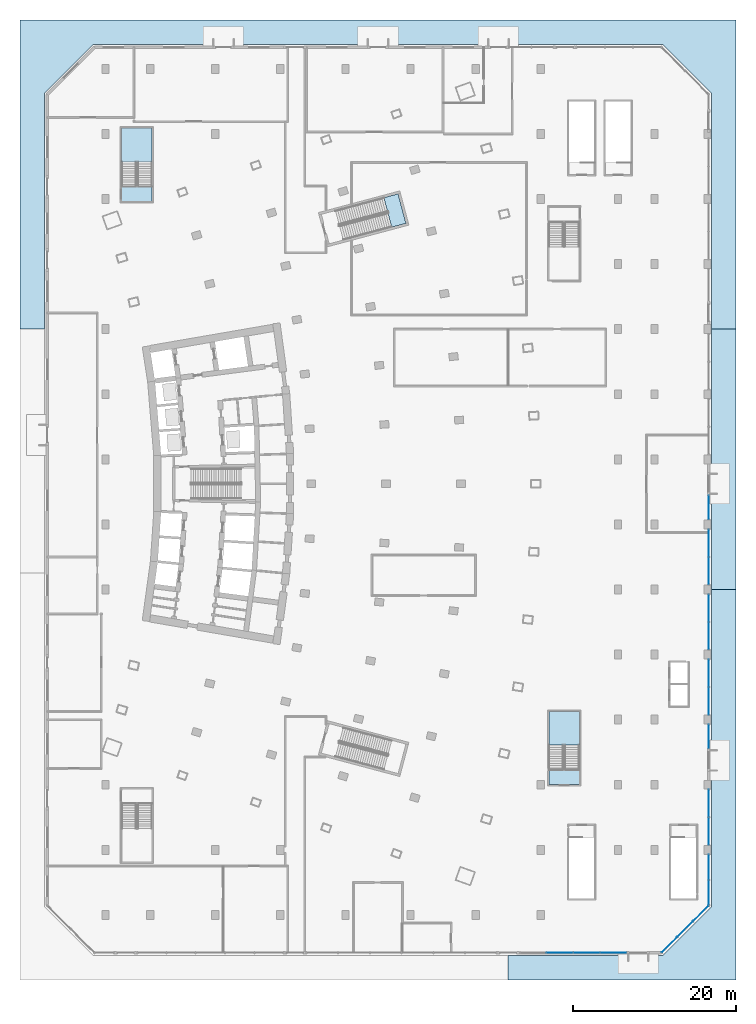
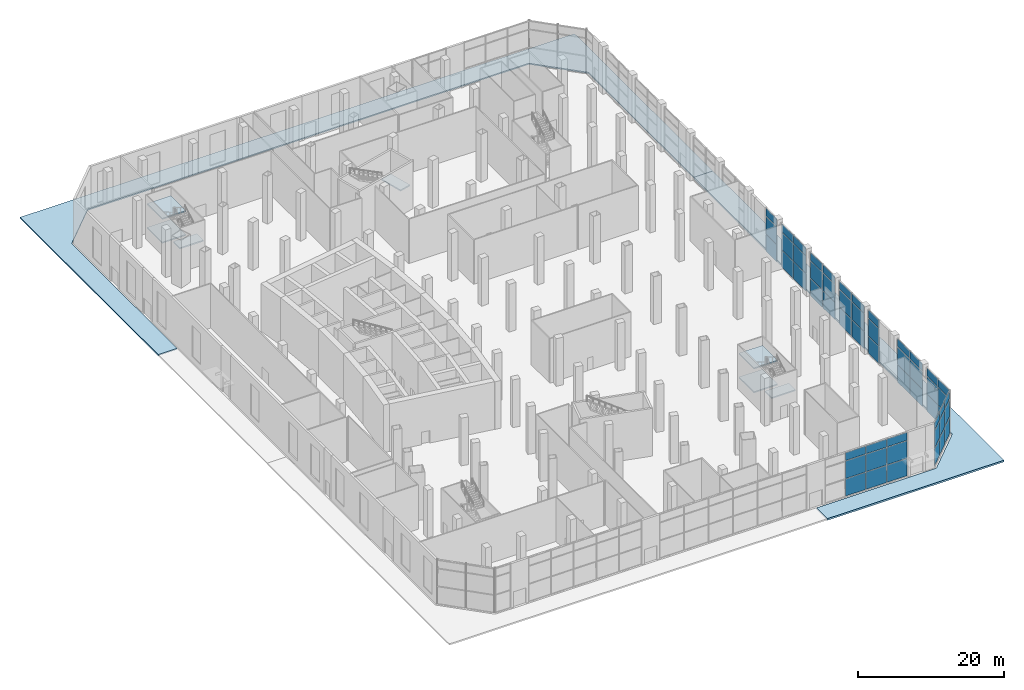
# One storey, part 10 of 33: 54 plates, 10 slabs, 12 elements without a shape of their own.
"""IFC4 building model written with IfcOpenShell, lengths in metres."""

from ifc_helpers import new_model, si_unit, direction, frame, origin, origin_2d, place, context, subcontext, project, spatial, polyline, rectangle, outline, extrude, material, layer, layer_set, type_object, element, aggregate, save


model = new_model("IFC4")

# Units and contexts
model_context = context("Model", 3, precision=1e-05, world=origin(), true_north=direction((0.0, 1.0)))
body_context = subcontext(model_context, "Body", "Model", "MODEL_VIEW")
ifc_project = project(units=[si_unit("LENGTHUNIT", "METRE"), si_unit("AREAUNIT", "SQUARE_METRE"), si_unit("VOLUMEUNIT", "CUBIC_METRE"), si_unit("PLANEANGLEUNIT", "RADIAN"), si_unit("MASSUNIT", "GRAM", prefix="KILO")], contexts=[model_context])

# Site, building, storey
site_placement = place(None, origin())
site = spatial("IfcSite", under=ifc_project, at=site_placement, CompositionType="ELEMENT")
building_placement = place(site_placement, origin())
building = spatial("IfcBuilding", under=site, at=building_placement, Name="Alderwake Tower", CompositionType="ELEMENT")
storey_placement = place(building_placement, origin())
storey = spatial("IfcBuildingStorey", under=building, at=storey_placement, Name="L00", CompositionType="ELEMENT", Elevation=0.0)

# Stair, slab
ifc_material_1 = material(Name="Concrete C40/50", Category="concrete")
stair_type_1 = type_object("IfcStairType", Name="Core exit stair", PredefinedType="HALF_TURN_STAIR", material=ifc_material_1)
stair_1_placement = place(storey_placement, origin())
stair_1 = element("IfcStair", 1, at=stair_1_placement, inside=storey, type_object=stair_type_1, Name="L00 Exit Stair A", PredefinedType="HALF_TURN_STAIR")
ifc_material_2 = material(Name="Concrete C40/50", Category="concrete")
ifc_layer_1 = layer(ifc_material_2, 0.199951171875)
ifc_layer_set_1 = layer_set([ifc_layer_1], Name="Core stair landing 200")
slab_type_1 = type_object("IfcSlabType", Name="Core stair landing 200", PredefinedType="LANDING", material=ifc_layer_set_1)
slab_1_placement = place(storey_placement, frame((0.0, 0.0, 3.800048828125)))
slab_1 = element("IfcSlab", 2, at=slab_1_placement, type_object=slab_type_1, Name="ST-A landing 1", PredefinedType="LANDING", context=body_context, shape_type="SweptSolid", body=[
    extrude(outline(polyline([(45.687255859375, 92.537109375), (47.436279296875, 93.003173828125), (46.47119140625, 96.626708984375), (44.72216796875, 96.160888671875), (45.687255859375, 92.537109375)])), origin(), (0.0, 0.0, 1.0), 0.199951171875),
])
aggregate(stair_1, [slab_1])

# Stair, slabs
ifc_material_3 = material(Name="Concrete C40/50", Category="concrete")
stair_type_2 = type_object("IfcStairType", Name="Exit stair 1800 half-turn", PredefinedType="HALF_TURN_STAIR", material=ifc_material_3)
stair_2_placement = place(storey_placement, origin())
stair_2 = element("IfcStair", 3, at=stair_2_placement, inside=storey, type_object=stair_type_2, Name="L00 Podium stair P2", PredefinedType="HALF_TURN_STAIR")
slab_2_placement = place(storey_placement, frame((0.0, 0.0, 1.800048828125)))
slab_2 = element("IfcSlab", 4, at=slab_2_placement, type_object=slab_type_1, Name="ST-P2 landing 1", PredefinedType="LANDING", context=body_context, shape_type="SweptSolid", body=[
    extrude(outline(polyline([(16.25, 100.570068359375), (16.25, 104.699951171875), (12.5, 104.699951171875), (12.5, 100.570068359375), (16.25, 100.570068359375)])), origin(), (0.0, 0.0, 1.0), 0.199951171875),
])
slab_3_placement = place(storey_placement, frame((0.0, 0.0, 3.800048828125)))
slab_3 = element("IfcSlab", 5, at=slab_3_placement, type_object=slab_type_1, Name="ST-P2 landing 2", PredefinedType="LANDING", context=body_context, shape_type="SweptSolid", body=[
    extrude(outline(polyline([(16.25, 95.699951171875), (16.25, 97.510009765625), (12.5, 97.510009765625), (12.5, 95.699951171875), (16.25, 95.699951171875)])), origin(), (0.0, 0.0, 1.0), 0.199951171875),
])
slab_4_placement = place(storey_placement, frame((0.0, 0.0, 5.800048828125)))
slab_4 = element("IfcSlab", 6, at=slab_4_placement, type_object=slab_type_1, Name="ST-P2 landing 3", PredefinedType="LANDING", context=body_context, shape_type="SweptSolid", body=[
    extrude(outline(polyline([(16.25, 100.570068359375), (16.25, 104.699951171875), (12.5, 104.699951171875), (12.5, 100.570068359375), (16.25, 100.570068359375)])), origin(), (0.0, 0.0, 1.0), 0.199951171875),
])
aggregate(stair_2, [slab_2, slab_3, slab_4])

stair_3_placement = place(storey_placement, origin())
stair_3 = element("IfcStair", 7, at=stair_3_placement, inside=storey, type_object=stair_type_2, Name="L00 Podium stair P4", PredefinedType="HALF_TURN_STAIR")
slab_5_placement = place(storey_placement, frame((0.0, 0.0, 1.800048828125)))
slab_5 = element("IfcSlab", 8, at=slab_5_placement, type_object=slab_type_1, Name="ST-P4 landing 1", PredefinedType="LANDING", context=body_context, shape_type="SweptSolid", body=[
    extrude(outline(polyline([(68.75, 28.8701171875), (68.75, 33.0), (65.0, 33.0), (65.0, 28.8701171875), (68.75, 28.8701171875)])), origin(), (0.0, 0.0, 1.0), 0.199951171875),
])
slab_6_placement = place(storey_placement, frame((0.0, 0.0, 3.800048828125)))
slab_6 = element("IfcSlab", 9, at=slab_6_placement, type_object=slab_type_1, Name="ST-P4 landing 2", PredefinedType="LANDING", context=body_context, shape_type="SweptSolid", body=[
    extrude(outline(polyline([(68.75, 24.0), (68.75, 25.81005859375), (65.0, 25.81005859375), (65.0, 24.0), (68.75, 24.0)])), origin(), (0.0, 0.0, 1.0), 0.199951171875),
])
slab_7_placement = place(storey_placement, frame((0.0, 0.0, 5.800048828125)))
slab_7 = element("IfcSlab", 10, at=slab_7_placement, type_object=slab_type_1, Name="ST-P4 landing 3", PredefinedType="LANDING", context=body_context, shape_type="SweptSolid", body=[
    extrude(outline(polyline([(68.75, 28.8701171875), (68.75, 33.0), (65.0, 33.0), (65.0, 28.8701171875), (68.75, 28.8701171875)])), origin(), (0.0, 0.0, 1.0), 0.199951171875),
])
aggregate(stair_3, [slab_5, slab_6, slab_7])

# Slab
ifc_material_4 = material(Name="Concrete C50/60", Category="concrete")
ifc_layer_2 = layer(ifc_material_4, 0.199951171875)
ifc_layer_set_2 = layer_set([ifc_layer_2], Name="Footway paving slab 200")
slab_type_2 = type_object("IfcSlabType", Name="Footway paving slab 200", PredefinedType="USERDEFINED", material=ifc_layer_set_2)
slab_8_placement = place(storey_placement, frame((0.0, 0.0, -0.199951171875)))
element("IfcSlab", 11, at=slab_8_placement, inside=storey, type_object=slab_type_2, Name="North street footway paving", ObjectType="PAVING", PredefinedType="USERDEFINED", context=body_context, shape_type="SweptSolid", body=[
    extrude(outline(polyline([(88.0, 118.0), (0.0, 118.0), (0.0, 80.0), (3.0, 80.0), (3.0, 109.0), (9.0, 115.0), (79.0, 115.0), (85.0, 109.0), (85.0, 80.0), (88.0, 80.0), (88.0, 118.0)])), origin(), (0.0, 0.0, 1.0), 0.199951171875),
])

# Curtain wall, plates
ifc_material_5 = material(Name="Bronze tinted glass in aluminium frame", Category="aluminium")
ifc_layer_3 = layer(ifc_material_5, 0.300048828125)
ifc_layer_set_3 = layer_set([ifc_layer_3], Name="Curtain wall CW2 station concourse wall")
curtain_wall_type = type_object("IfcCurtainWallType", Name="Curtain wall CW2 station concourse wall", PredefinedType="NOTDEFINED", material=ifc_layer_set_3)
curtain_wall_1_placement = place(storey_placement, origin())
curtain_wall_1 = element("IfcCurtainWall", 12, at=curtain_wall_1_placement, inside=storey, type_object=curtain_wall_type, Name="Curtain wall 4", PredefinedType="NOTDEFINED")
ifc_material_6 = material(Name="Bronze tinted glass in aluminium frame", Category="aluminium")
ifc_layer_4 = layer(ifc_material_6, 0.031982421875)
ifc_layer_set_4 = layer_set([ifc_layer_4], Name="Glass panel GPB 32")
plate_type = type_object("IfcPlateType", Name="Glass panel GPB 32", PredefinedType="CURTAIN_PANEL", material=ifc_layer_set_4)
plate_1_placement = place(storey_placement, frame((66.35009765625, 3.35009765625, 0.080078125), z_axis=(0.0, 0.0, 1.0), x_axis=(1.0, 0.0, 0.0)))
plate_1 = element("IfcPlate", 13, at=plate_1_placement, type_object=plate_type, Name="CW.04 panel 2.1", PredefinedType="CURTAIN_PANEL", context=body_context, shape_type="SweptSolid", body=[
    extrude(rectangle(XDim=3.219970703125, YDim=0.031982421875, at=origin_2d()), origin(), (0.0, 0.0, 1.0), 2.8798828125),
])
plate_2_placement = place(storey_placement, frame((66.35009765625, 3.35009765625, 3.0400390625), z_axis=(0.0, 0.0, 1.0), x_axis=(1.0, 0.0, 0.0)))
plate_2 = element("IfcPlate", 14, at=plate_2_placement, type_object=plate_type, Name="CW.04 panel 2.2", PredefinedType="CURTAIN_PANEL", context=body_context, shape_type="SweptSolid", body=[
    extrude(rectangle(XDim=3.219970703125, YDim=0.031982421875, at=origin_2d()), origin(), (0.0, 0.0, 1.0), 2.919921875),
])
plate_3_placement = place(storey_placement, frame((66.35009765625, 3.35009765625, 6.0400390625), z_axis=(0.0, 0.0, 1.0), x_axis=(1.0, 0.0, 0.0)))
plate_3 = element("IfcPlate", 15, at=plate_3_placement, type_object=plate_type, Name="CW.04 panel 2.3", PredefinedType="CURTAIN_PANEL", context=body_context, shape_type="SweptSolid", body=[
    extrude(rectangle(XDim=3.219970703125, YDim=0.031982421875, at=origin_2d()), origin(), (0.0, 0.0, 1.0), 1.330078125),
])
plate_4_placement = place(storey_placement, frame((69.64990234375, 3.35009765625, 0.080078125), z_axis=(0.0, 0.0, 1.0), x_axis=(1.0, 0.0, 0.0)))
plate_4 = element("IfcPlate", 16, at=plate_4_placement, type_object=plate_type, Name="CW.04 panel 3.1", PredefinedType="CURTAIN_PANEL", context=body_context, shape_type="SweptSolid", body=[
    extrude(rectangle(XDim=3.219970703125, YDim=0.031982421875, at=origin_2d()), origin(), (0.0, 0.0, 1.0), 2.8798828125),
])
plate_5_placement = place(storey_placement, frame((69.64990234375, 3.35009765625, 3.0400390625), z_axis=(0.0, 0.0, 1.0), x_axis=(1.0, 0.0, 0.0)))
plate_5 = element("IfcPlate", 17, at=plate_5_placement, type_object=plate_type, Name="CW.04 panel 3.2", PredefinedType="CURTAIN_PANEL", context=body_context, shape_type="SweptSolid", body=[
    extrude(rectangle(XDim=3.219970703125, YDim=0.031982421875, at=origin_2d()), origin(), (0.0, 0.0, 1.0), 2.919921875),
])
plate_6_placement = place(storey_placement, frame((69.64990234375, 3.35009765625, 6.0400390625), z_axis=(0.0, 0.0, 1.0), x_axis=(1.0, 0.0, 0.0)))
plate_6 = element("IfcPlate", 18, at=plate_6_placement, type_object=plate_type, Name="CW.04 panel 3.3", PredefinedType="CURTAIN_PANEL", context=body_context, shape_type="SweptSolid", body=[
    extrude(rectangle(XDim=3.219970703125, YDim=0.031982421875, at=origin_2d()), origin(), (0.0, 0.0, 1.0), 1.330078125),
])
plate_7_placement = place(storey_placement, frame((72.929931640625, 3.35009765625, 0.080078125), z_axis=(0.0, 0.0, 1.0), x_axis=(1.0, 0.0, 0.0)))
plate_7 = element("IfcPlate", 19, at=plate_7_placement, type_object=plate_type, Name="CW.04 panel 4.1", PredefinedType="CURTAIN_PANEL", context=body_context, shape_type="SweptSolid", body=[
    extrude(rectangle(XDim=3.179931640625, YDim=0.031982421875, at=origin_2d()), origin(), (0.0, 0.0, 1.0), 2.8798828125),
])
plate_8_placement = place(storey_placement, frame((72.929931640625, 3.35009765625, 3.0400390625), z_axis=(0.0, 0.0, 1.0), x_axis=(1.0, 0.0, 0.0)))
plate_8 = element("IfcPlate", 20, at=plate_8_placement, type_object=plate_type, Name="CW.04 panel 4.2", PredefinedType="CURTAIN_PANEL", context=body_context, shape_type="SweptSolid", body=[
    extrude(rectangle(XDim=3.179931640625, YDim=0.031982421875, at=origin_2d()), origin(), (0.0, 0.0, 1.0), 2.919921875),
])
plate_9_placement = place(storey_placement, frame((72.929931640625, 3.35009765625, 6.0400390625), z_axis=(0.0, 0.0, 1.0), x_axis=(1.0, 0.0, 0.0)))
plate_9 = element("IfcPlate", 21, at=plate_9_placement, type_object=plate_type, Name="CW.04 panel 4.3", PredefinedType="CURTAIN_PANEL", context=body_context, shape_type="SweptSolid", body=[
    extrude(rectangle(XDim=3.179931640625, YDim=0.031982421875, at=origin_2d()), origin(), (0.0, 0.0, 1.0), 1.330078125),
])
aggregate(curtain_wall_1, [plate_1, plate_2, plate_3, plate_4, plate_5, plate_6, plate_7, plate_8, plate_9])

curtain_wall_2_placement = place(storey_placement, origin())
curtain_wall_2 = element("IfcCurtainWall", 22, at=curtain_wall_2_placement, inside=storey, type_object=curtain_wall_type, Name="Curtain wall 5", PredefinedType="NOTDEFINED")
plate_10_placement = place(storey_placement, frame((79.836669921875, 4.331787109375, 0.080078125), z_axis=(0.0, 0.0, 1.0), x_axis=(0.707106781187, 0.707106781187, 0.0)))
plate_10 = element("IfcPlate", 23, at=plate_10_placement, type_object=plate_type, Name="CW.05 panel 1.1", PredefinedType="CURTAIN_PANEL", context=body_context, shape_type="SweptSolid", body=[
    extrude(rectangle(XDim=2.61669921875, YDim=0.031982421875, at=origin_2d()), origin(), (0.0, 0.0, 1.0), 2.8798828125),
])
plate_11_placement = place(storey_placement, frame((79.836669921875, 4.331787109375, 3.0400390625), z_axis=(0.0, 0.0, 1.0), x_axis=(0.707106781187, 0.707106781187, 0.0)))
plate_11 = element("IfcPlate", 24, at=plate_11_placement, type_object=plate_type, Name="CW.05 panel 1.2", PredefinedType="CURTAIN_PANEL", context=body_context, shape_type="SweptSolid", body=[
    extrude(rectangle(XDim=2.61669921875, YDim=0.031982421875, at=origin_2d()), origin(), (0.0, 0.0, 1.0), 2.919921875),
])
plate_12_placement = place(storey_placement, frame((79.836669921875, 4.331787109375, 6.0400390625), z_axis=(0.0, 0.0, 1.0), x_axis=(0.707106781187, 0.707106781187, 0.0)))
plate_12 = element("IfcPlate", 25, at=plate_12_placement, type_object=plate_type, Name="CW.05 panel 1.3", PredefinedType="CURTAIN_PANEL", context=body_context, shape_type="SweptSolid", body=[
    extrude(rectangle(XDim=2.61669921875, YDim=0.031982421875, at=origin_2d()), origin(), (0.0, 0.0, 1.0), 1.330078125),
])
plate_13_placement = place(storey_placement, frame((81.7578125, 6.252685546875, 0.080078125), z_axis=(0.0, 0.0, 1.0), x_axis=(0.707106781187, 0.707106781187, 0.0)))
plate_13 = element("IfcPlate", 26, at=plate_13_placement, type_object=plate_type, Name="CW.05 panel 2.1", PredefinedType="CURTAIN_PANEL", context=body_context, shape_type="SweptSolid", body=[
    extrude(rectangle(XDim=2.65673828125, YDim=0.031982421875, at=origin_2d()), origin(), (0.0, 0.0, 1.0), 2.8798828125),
])
plate_14_placement = place(storey_placement, frame((81.7578125, 6.252685546875, 3.0400390625), z_axis=(0.0, 0.0, 1.0), x_axis=(0.707106781187, 0.707106781187, 0.0)))
plate_14 = element("IfcPlate", 27, at=plate_14_placement, type_object=plate_type, Name="CW.05 panel 2.2", PredefinedType="CURTAIN_PANEL", context=body_context, shape_type="SweptSolid", body=[
    extrude(rectangle(XDim=2.65673828125, YDim=0.031982421875, at=origin_2d()), origin(), (0.0, 0.0, 1.0), 2.919921875),
])
plate_15_placement = place(storey_placement, frame((81.7578125, 6.252685546875, 6.0400390625), z_axis=(0.0, 0.0, 1.0), x_axis=(0.707106781187, 0.707106781187, 0.0)))
plate_15 = element("IfcPlate", 28, at=plate_15_placement, type_object=plate_type, Name="CW.05 panel 2.3", PredefinedType="CURTAIN_PANEL", context=body_context, shape_type="SweptSolid", body=[
    extrude(rectangle(XDim=2.65673828125, YDim=0.031982421875, at=origin_2d()), origin(), (0.0, 0.0, 1.0), 1.330078125),
])
plate_16_placement = place(storey_placement, frame((83.678955078125, 8.173828125, 0.080078125), z_axis=(0.0, 0.0, 1.0), x_axis=(0.707106781187, 0.707106781187, 0.0)))
plate_16 = element("IfcPlate", 29, at=plate_16_placement, type_object=plate_type, Name="CW.05 panel 3.1", PredefinedType="CURTAIN_PANEL", context=body_context, shape_type="SweptSolid", body=[
    extrude(rectangle(XDim=2.61669921875, YDim=0.031982421875, at=origin_2d()), origin(), (0.0, 0.0, 1.0), 2.8798828125),
])
plate_17_placement = place(storey_placement, frame((83.678955078125, 8.173828125, 3.0400390625), z_axis=(0.0, 0.0, 1.0), x_axis=(0.707106781187, 0.707106781187, 0.0)))
plate_17 = element("IfcPlate", 30, at=plate_17_placement, type_object=plate_type, Name="CW.05 panel 3.2", PredefinedType="CURTAIN_PANEL", context=body_context, shape_type="SweptSolid", body=[
    extrude(rectangle(XDim=2.61669921875, YDim=0.031982421875, at=origin_2d()), origin(), (0.0, 0.0, 1.0), 2.919921875),
])
plate_18_placement = place(storey_placement, frame((83.678955078125, 8.173828125, 6.0400390625), z_axis=(0.0, 0.0, 1.0), x_axis=(0.707106781187, 0.707106781187, 0.0)))
plate_18 = element("IfcPlate", 31, at=plate_18_placement, type_object=plate_type, Name="CW.05 panel 3.3", PredefinedType="CURTAIN_PANEL", context=body_context, shape_type="SweptSolid", body=[
    extrude(rectangle(XDim=2.61669921875, YDim=0.031982421875, at=origin_2d()), origin(), (0.0, 0.0, 1.0), 1.330078125),
])
aggregate(curtain_wall_2, [plate_10, plate_11, plate_12, plate_13, plate_14, plate_15, plate_16, plate_17, plate_18])

curtain_wall_3_placement = place(storey_placement, origin())
curtain_wall_3 = element("IfcCurtainWall", 32, at=curtain_wall_3_placement, inside=storey, type_object=curtain_wall_type, Name="Curtain wall 6", PredefinedType="NOTDEFINED")
plate_19_placement = place(storey_placement, frame((84.64990234375, 10.7412109375, 0.080078125), z_axis=(0.0, 0.0, 1.0), x_axis=(0.0, 1.0, 0.0)))
plate_19 = element("IfcPlate", 33, at=plate_19_placement, type_object=plate_type, Name="CW.06 panel 1.1", PredefinedType="CURTAIN_PANEL", context=body_context, shape_type="SweptSolid", body=[
    extrude(rectangle(XDim=3.032470703125, YDim=0.031982421875, at=origin_2d()), origin(), (0.0, 0.0, 1.0), 2.8798828125),
])
plate_20_placement = place(storey_placement, frame((84.64990234375, 10.7412109375, 3.0400390625), z_axis=(0.0, 0.0, 1.0), x_axis=(0.0, 1.0, 0.0)))
plate_20 = element("IfcPlate", 34, at=plate_20_placement, type_object=plate_type, Name="CW.06 panel 1.2", PredefinedType="CURTAIN_PANEL", context=body_context, shape_type="SweptSolid", body=[
    extrude(rectangle(XDim=3.032470703125, YDim=0.031982421875, at=origin_2d()), origin(), (0.0, 0.0, 1.0), 2.919921875),
])
plate_21_placement = place(storey_placement, frame((84.64990234375, 10.7412109375, 6.0400390625), z_axis=(0.0, 0.0, 1.0), x_axis=(0.0, 1.0, 0.0)))
plate_21 = element("IfcPlate", 35, at=plate_21_placement, type_object=plate_type, Name="CW.06 panel 1.3", PredefinedType="CURTAIN_PANEL", context=body_context, shape_type="SweptSolid", body=[
    extrude(rectangle(XDim=3.032470703125, YDim=0.031982421875, at=origin_2d()), origin(), (0.0, 0.0, 1.0), 1.330078125),
])
plate_22_placement = place(storey_placement, frame((84.64990234375, 13.853759765625, 0.080078125), z_axis=(0.0, 0.0, 1.0), x_axis=(0.0, 1.0, 0.0)))
plate_22 = element("IfcPlate", 36, at=plate_22_placement, type_object=plate_type, Name="CW.06 panel 2.1", PredefinedType="CURTAIN_PANEL", context=body_context, shape_type="SweptSolid", body=[
    extrude(rectangle(XDim=3.032470703125, YDim=0.031982421875, at=origin_2d()), origin(), (0.0, 0.0, 1.0), 2.8798828125),
])
plate_23_placement = place(storey_placement, frame((84.64990234375, 13.853759765625, 3.0400390625), z_axis=(0.0, 0.0, 1.0), x_axis=(0.0, 1.0, 0.0)))
plate_23 = element("IfcPlate", 37, at=plate_23_placement, type_object=plate_type, Name="CW.06 panel 2.2", PredefinedType="CURTAIN_PANEL", context=body_context, shape_type="SweptSolid", body=[
    extrude(rectangle(XDim=3.032470703125, YDim=0.031982421875, at=origin_2d()), origin(), (0.0, 0.0, 1.0), 2.919921875),
])
plate_24_placement = place(storey_placement, frame((84.64990234375, 13.853759765625, 6.0400390625), z_axis=(0.0, 0.0, 1.0), x_axis=(0.0, 1.0, 0.0)))
plate_24 = element("IfcPlate", 38, at=plate_24_placement, type_object=plate_type, Name="CW.06 panel 2.3", PredefinedType="CURTAIN_PANEL", context=body_context, shape_type="SweptSolid", body=[
    extrude(rectangle(XDim=3.032470703125, YDim=0.031982421875, at=origin_2d()), origin(), (0.0, 0.0, 1.0), 1.330078125),
])
aggregate(curtain_wall_3, [plate_19, plate_20, plate_21, plate_22, plate_23, plate_24])

curtain_wall_4_placement = place(storey_placement, origin())
curtain_wall_4 = element("IfcCurtainWall", 39, at=curtain_wall_4_placement, inside=storey, type_object=curtain_wall_type, Name="Curtain wall 7", PredefinedType="NOTDEFINED")
plate_25_placement = place(storey_placement, frame((84.64990234375, 18.294921875, 0.080078125), z_axis=(0.0, 0.0, 1.0), x_axis=(0.0, 1.0, 0.0)))
plate_25 = element("IfcPlate", 40, at=plate_25_placement, type_object=plate_type, Name="CW.07 panel 1.1", PredefinedType="CURTAIN_PANEL", context=body_context, shape_type="SweptSolid", body=[
    extrude(rectangle(XDim=3.330078125, YDim=0.031982421875, at=origin_2d()), origin(), (0.0, 0.0, 1.0), 2.8798828125),
])
plate_26_placement = place(storey_placement, frame((84.64990234375, 18.294921875, 3.0400390625), z_axis=(0.0, 0.0, 1.0), x_axis=(0.0, 1.0, 0.0)))
plate_26 = element("IfcPlate", 41, at=plate_26_placement, type_object=plate_type, Name="CW.07 panel 1.2", PredefinedType="CURTAIN_PANEL", context=body_context, shape_type="SweptSolid", body=[
    extrude(rectangle(XDim=3.330078125, YDim=0.031982421875, at=origin_2d()), origin(), (0.0, 0.0, 1.0), 2.919921875),
])
plate_27_placement = place(storey_placement, frame((84.64990234375, 18.294921875, 6.0400390625), z_axis=(0.0, 0.0, 1.0), x_axis=(0.0, 1.0, 0.0)))
plate_27 = element("IfcPlate", 42, at=plate_27_placement, type_object=plate_type, Name="CW.07 panel 1.3", PredefinedType="CURTAIN_PANEL", context=body_context, shape_type="SweptSolid", body=[
    extrude(rectangle(XDim=3.330078125, YDim=0.031982421875, at=origin_2d()), origin(), (0.0, 0.0, 1.0), 1.330078125),
])
plate_28_placement = place(storey_placement, frame((84.64990234375, 21.705078125, 0.080078125), z_axis=(0.0, 0.0, 1.0), x_axis=(0.0, 1.0, 0.0)))
plate_28 = element("IfcPlate", 43, at=plate_28_placement, type_object=plate_type, Name="CW.07 panel 2.1", PredefinedType="CURTAIN_PANEL", context=body_context, shape_type="SweptSolid", body=[
    extrude(rectangle(XDim=3.330078125, YDim=0.031982421875, at=origin_2d()), origin(), (0.0, 0.0, 1.0), 2.8798828125),
])
plate_29_placement = place(storey_placement, frame((84.64990234375, 21.705078125, 3.0400390625), z_axis=(0.0, 0.0, 1.0), x_axis=(0.0, 1.0, 0.0)))
plate_29 = element("IfcPlate", 44, at=plate_29_placement, type_object=plate_type, Name="CW.07 panel 2.2", PredefinedType="CURTAIN_PANEL", context=body_context, shape_type="SweptSolid", body=[
    extrude(rectangle(XDim=3.330078125, YDim=0.031982421875, at=origin_2d()), origin(), (0.0, 0.0, 1.0), 2.919921875),
])
plate_30_placement = place(storey_placement, frame((84.64990234375, 21.705078125, 6.0400390625), z_axis=(0.0, 0.0, 1.0), x_axis=(0.0, 1.0, 0.0)))
plate_30 = element("IfcPlate", 45, at=plate_30_placement, type_object=plate_type, Name="CW.07 panel 2.3", PredefinedType="CURTAIN_PANEL", context=body_context, shape_type="SweptSolid", body=[
    extrude(rectangle(XDim=3.330078125, YDim=0.031982421875, at=origin_2d()), origin(), (0.0, 0.0, 1.0), 1.330078125),
])
aggregate(curtain_wall_4, [plate_25, plate_26, plate_27, plate_28, plate_29, plate_30])

curtain_wall_5_placement = place(storey_placement, origin())
curtain_wall_5 = element("IfcCurtainWall", 46, at=curtain_wall_5_placement, inside=storey, type_object=curtain_wall_type, Name="Curtain wall 8", PredefinedType="NOTDEFINED")
plate_31_placement = place(storey_placement, frame((84.64990234375, 29.925048828125, 0.080078125), z_axis=(0.0, 0.0, 1.0), x_axis=(0.0, 1.0, 0.0)))
plate_31 = element("IfcPlate", 47, at=plate_31_placement, type_object=plate_type, Name="CW.08 panel 1.1", PredefinedType="CURTAIN_PANEL", context=body_context, shape_type="SweptSolid", body=[
    extrude(rectangle(XDim=2.889892578125, YDim=0.031982421875, at=origin_2d()), origin(), (0.0, 0.0, 1.0), 2.8798828125),
])
plate_32_placement = place(storey_placement, frame((84.64990234375, 29.925048828125, 3.0400390625), z_axis=(0.0, 0.0, 1.0), x_axis=(0.0, 1.0, 0.0)))
plate_32 = element("IfcPlate", 48, at=plate_32_placement, type_object=plate_type, Name="CW.08 panel 1.2", PredefinedType="CURTAIN_PANEL", context=body_context, shape_type="SweptSolid", body=[
    extrude(rectangle(XDim=2.889892578125, YDim=0.031982421875, at=origin_2d()), origin(), (0.0, 0.0, 1.0), 2.919921875),
])
plate_33_placement = place(storey_placement, frame((84.64990234375, 29.925048828125, 6.0400390625), z_axis=(0.0, 0.0, 1.0), x_axis=(0.0, 1.0, 0.0)))
plate_33 = element("IfcPlate", 49, at=plate_33_placement, type_object=plate_type, Name="CW.08 panel 1.3", PredefinedType="CURTAIN_PANEL", context=body_context, shape_type="SweptSolid", body=[
    extrude(rectangle(XDim=2.889892578125, YDim=0.031982421875, at=origin_2d()), origin(), (0.0, 0.0, 1.0), 1.330078125),
])
aggregate(curtain_wall_5, [plate_31, plate_32, plate_33])

curtain_wall_6_placement = place(storey_placement, origin())
curtain_wall_6 = element("IfcCurtainWall", 50, at=curtain_wall_6_placement, inside=storey, type_object=curtain_wall_type, Name="Curtain wall 9", PredefinedType="NOTDEFINED")
plate_34_placement = place(storey_placement, frame((84.64990234375, 34.294921875, 0.080078125), z_axis=(0.0, 0.0, 1.0), x_axis=(0.0, 1.0, 0.0)))
plate_34 = element("IfcPlate", 51, at=plate_34_placement, type_object=plate_type, Name="CW.09 panel 1.1", PredefinedType="CURTAIN_PANEL", context=body_context, shape_type="SweptSolid", body=[
    extrude(rectangle(XDim=3.330078125, YDim=0.031982421875, at=origin_2d()), origin(), (0.0, 0.0, 1.0), 2.8798828125),
])
plate_35_placement = place(storey_placement, frame((84.64990234375, 34.294921875, 3.0400390625), z_axis=(0.0, 0.0, 1.0), x_axis=(0.0, 1.0, 0.0)))
plate_35 = element("IfcPlate", 52, at=plate_35_placement, type_object=plate_type, Name="CW.09 panel 1.2", PredefinedType="CURTAIN_PANEL", context=body_context, shape_type="SweptSolid", body=[
    extrude(rectangle(XDim=3.330078125, YDim=0.031982421875, at=origin_2d()), origin(), (0.0, 0.0, 1.0), 2.919921875),
])
plate_36_placement = place(storey_placement, frame((84.64990234375, 34.294921875, 6.0400390625), z_axis=(0.0, 0.0, 1.0), x_axis=(0.0, 1.0, 0.0)))
plate_36 = element("IfcPlate", 53, at=plate_36_placement, type_object=plate_type, Name="CW.09 panel 1.3", PredefinedType="CURTAIN_PANEL", context=body_context, shape_type="SweptSolid", body=[
    extrude(rectangle(XDim=3.330078125, YDim=0.031982421875, at=origin_2d()), origin(), (0.0, 0.0, 1.0), 1.330078125),
])
plate_37_placement = place(storey_placement, frame((84.64990234375, 37.705078125, 0.080078125), z_axis=(0.0, 0.0, 1.0), x_axis=(0.0, 1.0, 0.0)))
plate_37 = element("IfcPlate", 54, at=plate_37_placement, type_object=plate_type, Name="CW.09 panel 2.1", PredefinedType="CURTAIN_PANEL", context=body_context, shape_type="SweptSolid", body=[
    extrude(rectangle(XDim=3.330078125, YDim=0.031982421875, at=origin_2d()), origin(), (0.0, 0.0, 1.0), 2.8798828125),
])
plate_38_placement = place(storey_placement, frame((84.64990234375, 37.705078125, 3.0400390625), z_axis=(0.0, 0.0, 1.0), x_axis=(0.0, 1.0, 0.0)))
plate_38 = element("IfcPlate", 55, at=plate_38_placement, type_object=plate_type, Name="CW.09 panel 2.2", PredefinedType="CURTAIN_PANEL", context=body_context, shape_type="SweptSolid", body=[
    extrude(rectangle(XDim=3.330078125, YDim=0.031982421875, at=origin_2d()), origin(), (0.0, 0.0, 1.0), 2.919921875),
])
plate_39_placement = place(storey_placement, frame((84.64990234375, 37.705078125, 6.0400390625), z_axis=(0.0, 0.0, 1.0), x_axis=(0.0, 1.0, 0.0)))
plate_39 = element("IfcPlate", 56, at=plate_39_placement, type_object=plate_type, Name="CW.09 panel 2.3", PredefinedType="CURTAIN_PANEL", context=body_context, shape_type="SweptSolid", body=[
    extrude(rectangle(XDim=3.330078125, YDim=0.031982421875, at=origin_2d()), origin(), (0.0, 0.0, 1.0), 1.330078125),
])
aggregate(curtain_wall_6, [plate_34, plate_35, plate_36, plate_37, plate_38, plate_39])

curtain_wall_7_placement = place(storey_placement, origin())
curtain_wall_7 = element("IfcCurtainWall", 57, at=curtain_wall_7_placement, inside=storey, type_object=curtain_wall_type, Name="Curtain wall 10", PredefinedType="NOTDEFINED")
plate_40_placement = place(storey_placement, frame((84.64990234375, 42.294921875, 0.080078125), z_axis=(0.0, 0.0, 1.0), x_axis=(0.0, 1.0, 0.0)))
plate_40 = element("IfcPlate", 58, at=plate_40_placement, type_object=plate_type, Name="CW.10 panel 1.1", PredefinedType="CURTAIN_PANEL", context=body_context, shape_type="SweptSolid", body=[
    extrude(rectangle(XDim=3.330078125, YDim=0.031982421875, at=origin_2d()), origin(), (0.0, 0.0, 1.0), 2.8798828125),
])
plate_41_placement = place(storey_placement, frame((84.64990234375, 42.294921875, 3.0400390625), z_axis=(0.0, 0.0, 1.0), x_axis=(0.0, 1.0, 0.0)))
plate_41 = element("IfcPlate", 59, at=plate_41_placement, type_object=plate_type, Name="CW.10 panel 1.2", PredefinedType="CURTAIN_PANEL", context=body_context, shape_type="SweptSolid", body=[
    extrude(rectangle(XDim=3.330078125, YDim=0.031982421875, at=origin_2d()), origin(), (0.0, 0.0, 1.0), 2.919921875),
])
plate_42_placement = place(storey_placement, frame((84.64990234375, 42.294921875, 6.0400390625), z_axis=(0.0, 0.0, 1.0), x_axis=(0.0, 1.0, 0.0)))
plate_42 = element("IfcPlate", 60, at=plate_42_placement, type_object=plate_type, Name="CW.10 panel 1.3", PredefinedType="CURTAIN_PANEL", context=body_context, shape_type="SweptSolid", body=[
    extrude(rectangle(XDim=3.330078125, YDim=0.031982421875, at=origin_2d()), origin(), (0.0, 0.0, 1.0), 1.330078125),
])
plate_43_placement = place(storey_placement, frame((84.64990234375, 45.705078125, 0.080078125), z_axis=(0.0, 0.0, 1.0), x_axis=(0.0, 1.0, 0.0)))
plate_43 = element("IfcPlate", 61, at=plate_43_placement, type_object=plate_type, Name="CW.10 panel 2.1", PredefinedType="CURTAIN_PANEL", context=body_context, shape_type="SweptSolid", body=[
    extrude(rectangle(XDim=3.330078125, YDim=0.031982421875, at=origin_2d()), origin(), (0.0, 0.0, 1.0), 2.8798828125),
])
plate_44_placement = place(storey_placement, frame((84.64990234375, 45.705078125, 3.0400390625), z_axis=(0.0, 0.0, 1.0), x_axis=(0.0, 1.0, 0.0)))
plate_44 = element("IfcPlate", 62, at=plate_44_placement, type_object=plate_type, Name="CW.10 panel 2.2", PredefinedType="CURTAIN_PANEL", context=body_context, shape_type="SweptSolid", body=[
    extrude(rectangle(XDim=3.330078125, YDim=0.031982421875, at=origin_2d()), origin(), (0.0, 0.0, 1.0), 2.919921875),
])
plate_45_placement = place(storey_placement, frame((84.64990234375, 45.705078125, 6.0400390625), z_axis=(0.0, 0.0, 1.0), x_axis=(0.0, 1.0, 0.0)))
plate_45 = element("IfcPlate", 63, at=plate_45_placement, type_object=plate_type, Name="CW.10 panel 2.3", PredefinedType="CURTAIN_PANEL", context=body_context, shape_type="SweptSolid", body=[
    extrude(rectangle(XDim=3.330078125, YDim=0.031982421875, at=origin_2d()), origin(), (0.0, 0.0, 1.0), 1.330078125),
])
aggregate(curtain_wall_7, [plate_40, plate_41, plate_42, plate_43, plate_44, plate_45])

curtain_wall_8_placement = place(storey_placement, origin())
curtain_wall_8 = element("IfcCurtainWall", 64, at=curtain_wall_8_placement, inside=storey, type_object=curtain_wall_type, Name="Curtain wall 11", PredefinedType="NOTDEFINED")
plate_46_placement = place(storey_placement, frame((84.64990234375, 50.294921875, 0.080078125), z_axis=(0.0, 0.0, 1.0), x_axis=(0.0, 1.0, 0.0)))
plate_46 = element("IfcPlate", 65, at=plate_46_placement, type_object=plate_type, Name="CW.11 panel 1.1", PredefinedType="CURTAIN_PANEL", context=body_context, shape_type="SweptSolid", body=[
    extrude(rectangle(XDim=3.330078125, YDim=0.031982421875, at=origin_2d()), origin(), (0.0, 0.0, 1.0), 2.8798828125),
])
plate_47_placement = place(storey_placement, frame((84.64990234375, 50.294921875, 3.0400390625), z_axis=(0.0, 0.0, 1.0), x_axis=(0.0, 1.0, 0.0)))
plate_47 = element("IfcPlate", 66, at=plate_47_placement, type_object=plate_type, Name="CW.11 panel 1.2", PredefinedType="CURTAIN_PANEL", context=body_context, shape_type="SweptSolid", body=[
    extrude(rectangle(XDim=3.330078125, YDim=0.031982421875, at=origin_2d()), origin(), (0.0, 0.0, 1.0), 2.919921875),
])
plate_48_placement = place(storey_placement, frame((84.64990234375, 50.294921875, 6.0400390625), z_axis=(0.0, 0.0, 1.0), x_axis=(0.0, 1.0, 0.0)))
plate_48 = element("IfcPlate", 67, at=plate_48_placement, type_object=plate_type, Name="CW.11 panel 1.3", PredefinedType="CURTAIN_PANEL", context=body_context, shape_type="SweptSolid", body=[
    extrude(rectangle(XDim=3.330078125, YDim=0.031982421875, at=origin_2d()), origin(), (0.0, 0.0, 1.0), 1.330078125),
])
plate_49_placement = place(storey_placement, frame((84.64990234375, 53.705078125, 0.080078125), z_axis=(0.0, 0.0, 1.0), x_axis=(0.0, 1.0, 0.0)))
plate_49 = element("IfcPlate", 68, at=plate_49_placement, type_object=plate_type, Name="CW.11 panel 2.1", PredefinedType="CURTAIN_PANEL", context=body_context, shape_type="SweptSolid", body=[
    extrude(rectangle(XDim=3.330078125, YDim=0.031982421875, at=origin_2d()), origin(), (0.0, 0.0, 1.0), 2.8798828125),
])
plate_50_placement = place(storey_placement, frame((84.64990234375, 53.705078125, 3.0400390625), z_axis=(0.0, 0.0, 1.0), x_axis=(0.0, 1.0, 0.0)))
plate_50 = element("IfcPlate", 69, at=plate_50_placement, type_object=plate_type, Name="CW.11 panel 2.2", PredefinedType="CURTAIN_PANEL", context=body_context, shape_type="SweptSolid", body=[
    extrude(rectangle(XDim=3.330078125, YDim=0.031982421875, at=origin_2d()), origin(), (0.0, 0.0, 1.0), 2.919921875),
])
plate_51_placement = place(storey_placement, frame((84.64990234375, 53.705078125, 6.0400390625), z_axis=(0.0, 0.0, 1.0), x_axis=(0.0, 1.0, 0.0)))
plate_51 = element("IfcPlate", 70, at=plate_51_placement, type_object=plate_type, Name="CW.11 panel 2.3", PredefinedType="CURTAIN_PANEL", context=body_context, shape_type="SweptSolid", body=[
    extrude(rectangle(XDim=3.330078125, YDim=0.031982421875, at=origin_2d()), origin(), (0.0, 0.0, 1.0), 1.330078125),
])
aggregate(curtain_wall_8, [plate_46, plate_47, plate_48, plate_49, plate_50, plate_51])

curtain_wall_9_placement = place(storey_placement, origin())
curtain_wall_9 = element("IfcCurtainWall", 71, at=curtain_wall_9_placement, inside=storey, type_object=curtain_wall_type, Name="Curtain wall 12", PredefinedType="NOTDEFINED")
plate_52_placement = place(storey_placement, frame((84.64990234375, 58.074951171875, 0.080078125), z_axis=(0.0, 0.0, 1.0), x_axis=(0.0, 1.0, 0.0)))
plate_52 = element("IfcPlate", 72, at=plate_52_placement, type_object=plate_type, Name="CW.12 panel 1.1", PredefinedType="CURTAIN_PANEL", context=body_context, shape_type="SweptSolid", body=[
    extrude(rectangle(XDim=2.889892578125, YDim=0.031982421875, at=origin_2d()), origin(), (0.0, 0.0, 1.0), 2.8798828125),
])
plate_53_placement = place(storey_placement, frame((84.64990234375, 58.074951171875, 3.0400390625), z_axis=(0.0, 0.0, 1.0), x_axis=(0.0, 1.0, 0.0)))
plate_53 = element("IfcPlate", 73, at=plate_53_placement, type_object=plate_type, Name="CW.12 panel 1.2", PredefinedType="CURTAIN_PANEL", context=body_context, shape_type="SweptSolid", body=[
    extrude(rectangle(XDim=2.889892578125, YDim=0.031982421875, at=origin_2d()), origin(), (0.0, 0.0, 1.0), 2.919921875),
])
plate_54_placement = place(storey_placement, frame((84.64990234375, 58.074951171875, 6.0400390625), z_axis=(0.0, 0.0, 1.0), x_axis=(0.0, 1.0, 0.0)))
plate_54 = element("IfcPlate", 74, at=plate_54_placement, type_object=plate_type, Name="CW.12 panel 1.3", PredefinedType="CURTAIN_PANEL", context=body_context, shape_type="SweptSolid", body=[
    extrude(rectangle(XDim=2.889892578125, YDim=0.031982421875, at=origin_2d()), origin(), (0.0, 0.0, 1.0), 1.330078125),
])
aggregate(curtain_wall_9, [plate_52, plate_53, plate_54])

# Slabs
ifc_material_7 = material(Name="Concrete C50/60", Category="concrete")
ifc_layer_5 = layer(ifc_material_7, 0.300048828125)
ifc_layer_set_5 = layer_set([ifc_layer_5], Name="Plaza paving slab 300")
slab_type_3 = type_object("IfcSlabType", Name="Plaza paving slab 300", PredefinedType="USERDEFINED", material=ifc_layer_set_5)
slab_9_placement = place(storey_placement, frame((0.0, 0.0, -0.300048828125)))
element("IfcSlab", 75, at=slab_9_placement, inside=storey, type_object=slab_type_3, Name="Station plaza paving", ObjectType="PAVING", PredefinedType="USERDEFINED", context=body_context, shape_type="SweptSolid", body=[
    extrude(outline(polyline([(88.0, 0.0), (88.0, 48.0), (85.0, 48.0), (85.0, 9.0), (79.0, 3.0), (60.0, 3.0), (60.0, 0.0), (88.0, 0.0)])), origin(), (0.0, 0.0, 1.0), 0.300048828125),
])
slab_10_placement = place(storey_placement, frame((0.0, 0.0, -0.300048828125)))
element("IfcSlab", 76, at=slab_10_placement, inside=storey, type_object=slab_type_3, Name="Residential entrance court paving", ObjectType="PAVING", PredefinedType="USERDEFINED", context=body_context, shape_type="SweptSolid", body=[
    extrude(outline(polyline([(88.0, 48.0), (88.0, 80.0), (85.0, 80.0), (85.0, 48.0), (88.0, 48.0)])), origin(), (0.0, 0.0, 1.0), 0.300048828125),
])

save(model, "model.ifc")
